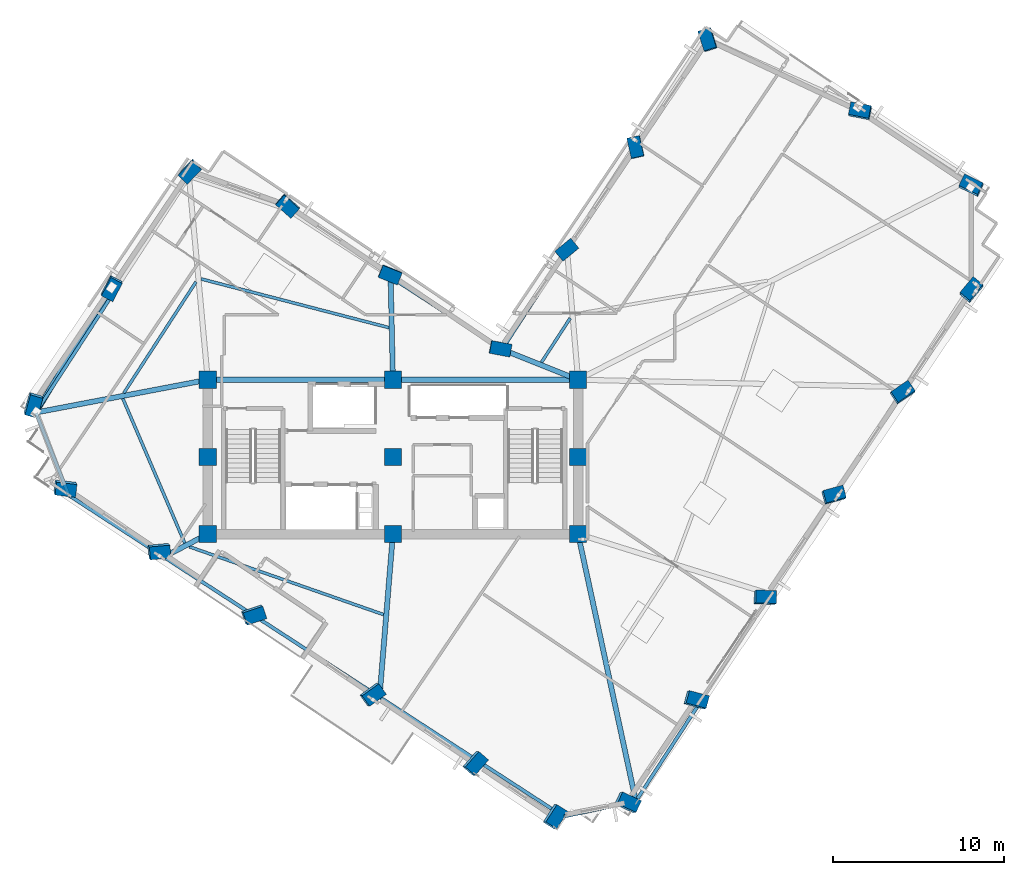
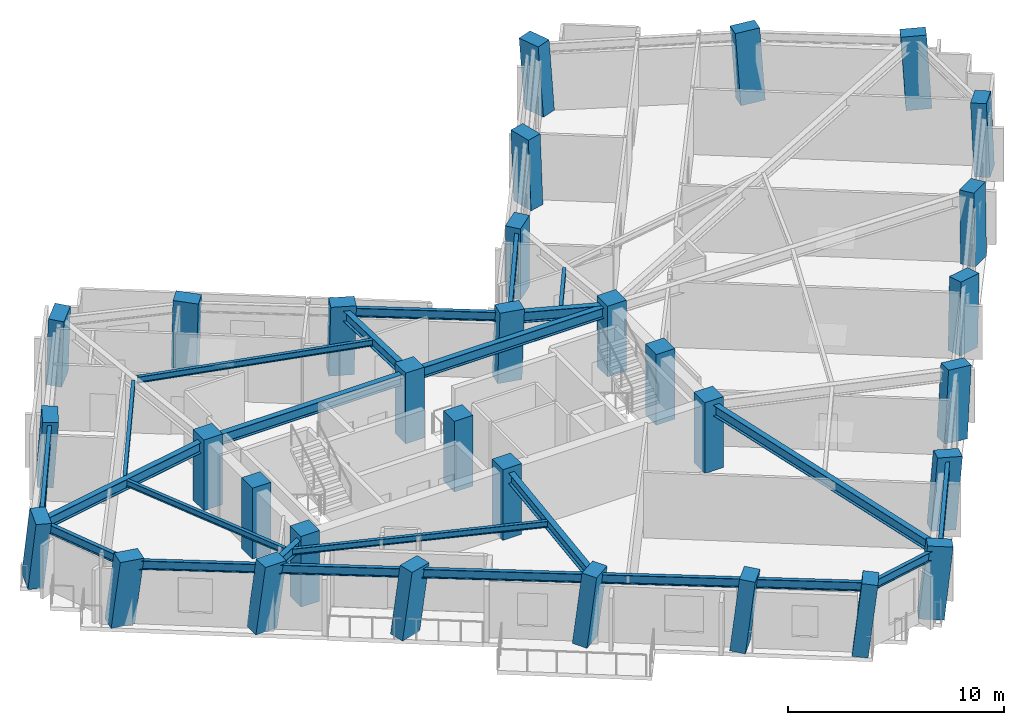
# One storey, part 1 of 14: 32 columns, 24 beams, 1 member.
"""IFC4 building model written with IfcOpenShell, lengths in metres."""

from ifc_helpers import new_model, si_unit, direction, frame, origin, origin_2d, place, context, subcontext, project, spatial, rectangle, hollow_circle, i_section, extrude, material, material_profile, profile_set, type_object, element, save


model = new_model("IFC4")

# Units and contexts
model_context = context("Model", 3, precision=1e-05, world=origin(), true_north=direction((0.0, 1.0)))
body_context = subcontext(model_context, "Body", "Model", "MODEL_VIEW")
ifc_project = project(units=[si_unit("LENGTHUNIT", "METRE"), si_unit("AREAUNIT", "SQUARE_METRE"), si_unit("VOLUMEUNIT", "CUBIC_METRE"), si_unit("PLANEANGLEUNIT", "RADIAN"), si_unit("MASSUNIT", "GRAM", prefix="KILO")], contexts=[model_context])

# Site, building, storey
site_placement = place(None, origin())
site = spatial("IfcSite", under=ifc_project, at=site_placement, CompositionType="ELEMENT")
building_placement = place(site_placement, origin())
building = spatial("IfcBuilding", under=site, at=building_placement, Name="Gaonmaruhae Medical Tower", CompositionType="ELEMENT")
storey_placement = place(building_placement, frame((0.0, 0.0, 263.199951171875)))
storey = spatial("IfcBuildingStorey", under=building, at=storey_placement, Name="L63", CompositionType="ELEMENT", Elevation=263.199951171875)

# Columns
ifc_material_1 = material(Name="Concrete C50/60", Category="concrete")
ifc_material_profile_1 = material_profile(ifc_material_1, rectangle(XDim=1.0, YDim=1.0, at=origin_2d()), Name="RC-1000x1000")
ifc_profile_set_1 = profile_set([ifc_material_profile_1], Name="Concrete C50/60")
column_type_1 = type_object("IfcColumnType", Name="CC-05 Zone 4 Core Column (RC-1000x1000)", PredefinedType="COLUMN", material=ifc_profile_set_1)
for number, where, z_axis, x_axis, name in (
    (1, (14.0, 7.800048828125, 0.0), (0.0, 0.0, 1.0), (1.0, 0.0, 0.0), "L63 Plumb Core Column CC11"),
    (2, (14.0, 12.300048828125, 0.0), (0.0, 0.0, 1.0), (1.0, 0.0, 0.0), "L63 Plumb Core Column CC12"),
    (3, (14.0, 16.800048828125, 0.0), (0.0, 0.0, 1.0), (1.0, 0.0, 0.0), "L63 Plumb Core Column CC13"),
    (4, (24.800048828125, 7.800048828125, 0.0), (0.0, 0.0, 1.0), (1.0, 0.0, 0.0), "L63 Plumb Core Column CC21"),
    (5, (24.800048828125, 12.300048828125, 0.0), (0.0, 0.0, 1.0), (1.0, 0.0, 0.0), "L63 Plumb Core Column CC22"),
    (6, (24.800048828125, 16.800048828125, 0.0), (0.0, 0.0, 1.0), (1.0, 0.0, 0.0), "L63 Plumb Core Column CC23"),
    (7, (35.60009765625, 7.800048828125, 0.0), (0.0, 0.0, 1.0), (1.0, 0.0, 0.0), "L63 Plumb Core Column CC31"),
    (8, (35.60009765625, 12.300048828125, 0.0), (0.0, 0.0, 1.0), (1.0, 0.0, 0.0), "L63 Plumb Core Column CC32"),
    (9, (35.60009765625, 16.800048828125, 0.0), (0.0, 0.0, 1.0), (1.0, 0.0, 0.0), "L63 Plumb Core Column CC33"),
):
    element("IfcColumn", number, at=place(storey_placement, frame(where, z_axis=z_axis, x_axis=x_axis)), inside=storey, type_object=column_type_1, Name=name, PredefinedType="COLUMN", context=body_context, shape_type="SweptSolid", body=[
        extrude(rectangle(XDim=1.0, YDim=1.0, at=origin_2d()), origin(), (0.0, 0.0, 1.0), 4.0),
    ])
ifc_material_profile_2 = material_profile(ifc_material_1, rectangle(XDim=1.199951171875, YDim=0.75, at=origin_2d()), Name="RC-1200x750")
ifc_profile_set_2 = profile_set([ifc_material_profile_2], Name="Concrete C50/60")
column_type_2 = type_object("IfcColumnType", Name="TC-03 Upper Raking Tube Pier Column (RC-1200x750)", PredefinedType="COLUMN", material=ifc_profile_set_2)
column_1_placement = place(storey_placement, frame((38.430419921875, -7.8662109375, 0.001953125), z_axis=(0.134040097403, 0.020903060076, 0.990755426111), x_axis=(-0.898092980481, 0.425164908078, 0.112533547662)))
element("IfcColumn", 10, at=column_1_placement, inside=storey, type_object=column_type_2, Name="L63 Perimeter Tube Column S01", PredefinedType="COLUMN", context=body_context, shape_type="SweptSolid", body=[
    extrude(rectangle(XDim=1.199951171875, YDim=0.75, at=origin_2d()), origin(), (0.0, 0.0, 1.0), 3.93603515625),
])
column_2_placement = place(storey_placement, frame((42.451416015625, -1.893798828125, 0.001953125), z_axis=(0.109606345324, 0.037361575031, 0.993272652284), x_axis=(-0.960066474556, 0.262764471179, 0.096058300628)))
element("IfcColumn", 11, at=column_2_placement, inside=storey, type_object=column_type_2, Name="L63 Perimeter Tube Column S02", PredefinedType="COLUMN", context=body_context, shape_type="SweptSolid", body=[
    extrude(rectangle(XDim=1.199951171875, YDim=0.75, at=origin_2d()), origin(), (0.0, 0.0, 1.0), 3.9404296875),
])
column_3_placement = place(storey_placement, frame((46.472412109375, 4.078857421875, 0.001953125), z_axis=(0.084979092026, 0.053785018915, 0.994930010432), x_axis=(-0.996046880163, 0.03050995972, 0.083425145348)))
element("IfcColumn", 12, at=column_3_placement, inside=storey, type_object=column_type_2, Name="L63 Perimeter Tube Column S03", PredefinedType="COLUMN", context=body_context, shape_type="SweptSolid", body=[
    extrude(rectangle(XDim=1.199951171875, YDim=0.75, at=origin_2d()), origin(), (0.0, 0.0, 1.0), 3.944580078125),
])
column_4_placement = place(storey_placement, frame((50.493408203125, 10.051513671875, 0.001953125), z_axis=(0.060244957035, 0.070203312356, 0.995711825824), x_axis=(-0.961707168272, -0.263116868438, 0.076738751868)))
element("IfcColumn", 13, at=column_4_placement, inside=storey, type_object=column_type_2, Name="L63 Perimeter Tube Column S04", PredefinedType="COLUMN", context=body_context, shape_type="SweptSolid", body=[
    extrude(rectangle(XDim=1.199951171875, YDim=0.75, at=origin_2d()), origin(), (0.0, 0.0, 1.0), 3.947021484375),
])
column_5_placement = place(storey_placement, frame((54.51416015625, 16.024169921875, 0.001953125), z_axis=(0.035506690498, 0.086601684142, 0.9956100759), x_axis=(-0.830026397093, -0.552293328745, 0.077641864689)))
element("IfcColumn", 14, at=column_5_placement, inside=storey, type_object=column_type_2, Name="L63 Perimeter Tube Column S05", PredefinedType="COLUMN", context=body_context, shape_type="SweptSolid", body=[
    extrude(rectangle(XDim=1.199951171875, YDim=0.75, at=origin_2d()), origin(), (0.0, 0.0, 1.0), 3.94677734375),
])
column_6_placement = place(storey_placement, frame((58.53515625, 21.996826171875, 0.001953125), z_axis=(0.010710308119, 0.102893249099, 0.994634741294), x_axis=(-0.640889762173, -0.76282129069, 0.085813700609)))
element("IfcColumn", 15, at=column_6_placement, inside=storey, type_object=column_type_2, Name="L63 Perimeter Tube Column S06", PredefinedType="COLUMN", context=body_context, shape_type="SweptSolid", body=[
    extrude(rectangle(XDim=1.199951171875, YDim=0.75, at=origin_2d()), origin(), (0.0, 0.0, 1.0), 3.943603515625),
])
column_7_placement = place(storey_placement, frame((58.53515625, 28.084716796875, 0.001953125), z_axis=(-0.014401229556, 0.102662842461, 0.99461195718), x_axis=(0.898644972852, -0.43483943796, 0.057895388089)))
element("IfcColumn", 16, at=column_7_placement, inside=storey, type_object=column_type_2, Name="L63 Perimeter Tube Column E01", PredefinedType="COLUMN", context=body_context, shape_type="SweptSolid", body=[
    extrude(rectangle(XDim=1.199951171875, YDim=0.75, at=origin_2d()), origin(), (0.0, 0.0, 1.0), 3.949951171875),
])
column_8_placement = place(storey_placement, frame((52.064697265625, 32.440673828125, 0.001953125), z_axis=(-0.032217562712, 0.076038385557, 0.996584262657), x_axis=(0.980924375863, -0.18883949173, 0.04611957503)))
element("IfcColumn", 17, at=column_8_placement, inside=storey, type_object=column_type_2, Name="L63 Perimeter Tube Column E02", PredefinedType="COLUMN", context=body_context, shape_type="SweptSolid", body=[
    extrude(rectangle(XDim=1.199951171875, YDim=0.75, at=origin_2d()), origin(), (0.0, 0.0, 1.0), 3.95556640625),
])
column_9_placement = place(storey_placement, frame((43.1806640625, 36.613525390625, 0.001953125), z_axis=(-0.049210235078, 0.039220187355, 0.998018100872), x_axis=(0.299343869523, -0.952716333944, 0.052199950338)))
element("IfcColumn", 18, at=column_9_placement, inside=storey, type_object=column_type_2, Name="L63 Perimeter Tube Column E03", PredefinedType="COLUMN", context=body_context, shape_type="SweptSolid", body=[
    extrude(rectangle(XDim=1.199951171875, YDim=0.75, at=origin_2d()), origin(), (0.0, 0.0, 1.0), 3.958984375),
])
column_10_placement = place(storey_placement, frame((38.964111328125, 30.3505859375, 0.001953125), z_axis=(-0.023155395107, 0.02198841233, 0.99949003867), x_axis=(0.216657402082, -0.97588827635, 0.026488529682)))
element("IfcColumn", 19, at=column_10_placement, inside=storey, type_object=column_type_2, Name="L63 Perimeter Tube Column EN01", PredefinedType="COLUMN", context=body_context, shape_type="SweptSolid", body=[
    extrude(rectangle(XDim=1.199951171875, YDim=0.75, at=origin_2d()), origin(), (0.0, 0.0, 1.0), 3.974853515625),
])
column_11_placement = place(storey_placement, frame((34.943359375, 24.3779296875, 0.001953125), z_axis=(0.001651449321, 0.005565995859, 0.999983146061), x_axis=(-0.771351837529, -0.636390719713, 0.004816077748)))
element("IfcColumn", 20, at=column_11_placement, inside=storey, type_object=column_type_2, Name="L63 Perimeter Tube Column EN02", PredefinedType="COLUMN", context=body_context, shape_type="SweptSolid", body=[
    extrude(rectangle(XDim=1.199951171875, YDim=0.75, at=origin_2d()), origin(), (0.0, 0.0, 1.0), 3.991455078125),
])
column_12_placement = place(storey_placement, frame((31.06201171875, 18.612548828125, 0.001953125), z_axis=(0.025709869991, -0.010247131953, 0.999616926063), x_axis=(-0.982326207353, 0.185195466455, 0.027163607131)))
element("IfcColumn", 21, at=column_12_placement, inside=storey, type_object=column_type_2, Name="L63 Perimeter Tube Column KN01", PredefinedType="COLUMN", context=body_context, shape_type="SweptSolid", body=[
    extrude(rectangle(XDim=1.199951171875, YDim=0.75, at=origin_2d()), origin(), (0.0, 0.0, 1.0), 3.978759765625),
])
column_13_placement = place(storey_placement, frame((24.633056640625, 22.940673828125, 0.001953125), z_axis=(0.007986390085, -0.037044563242, 0.999281700977), x_axis=(-0.928505715107, 0.370714499893, 0.021163567343)))
element("IfcColumn", 22, at=column_13_placement, inside=storey, type_object=column_type_2, Name="L63 Perimeter Tube Column NE01", PredefinedType="COLUMN", context=body_context, shape_type="SweptSolid", body=[
    extrude(rectangle(XDim=1.199951171875, YDim=0.75, at=origin_2d()), origin(), (0.0, 0.0, 1.0), 3.97412109375),
])
column_14_placement = place(storey_placement, frame((18.660400390625, 26.961669921875, 0.001953125), z_axis=(-0.008439776156, -0.061850622339, 0.998049733578), x_axis=(-0.746550173288, 0.664415153475, 0.03486176411)))
element("IfcColumn", 23, at=column_14_placement, inside=storey, type_object=column_type_2, Name="L63 Perimeter Tube Column NE02", PredefinedType="COLUMN", context=body_context, shape_type="SweptSolid", body=[
    extrude(rectangle(XDim=1.199951171875, YDim=0.75, at=origin_2d()), origin(), (0.0, 0.0, 1.0), 3.963134765625),
])
column_15_placement = place(storey_placement, frame((12.969970703125, 28.984375, 0.001953125), z_axis=(-0.016568570157, -0.085315771703, 0.99621619219), x_axis=(0.705770066577, 0.704763149468, 0.072093801918)))
element("IfcColumn", 24, at=column_15_placement, inside=storey, type_object=column_type_2, Name="L63 Perimeter Tube Column N01", PredefinedType="COLUMN", context=body_context, shape_type="SweptSolid", body=[
    extrude(rectangle(XDim=1.199951171875, YDim=0.75, at=origin_2d()), origin(), (0.0, 0.0, 1.0), 3.948974609375),
])
column_16_placement = place(storey_placement, frame((8.390625, 22.182373046875, 0.001953125), z_axis=(0.01163978478, -0.103891270537, 0.994520547458), x_axis=(0.463142262868, 0.882031149655, 0.086719636662)))
element("IfcColumn", 25, at=column_16_placement, inside=storey, type_object=column_type_2, Name="L63 Perimeter Tube Column N02", PredefinedType="COLUMN", context=body_context, shape_type="SweptSolid", body=[
    extrude(rectangle(XDim=1.199951171875, YDim=0.75, at=origin_2d()), origin(), (0.0, 0.0, 1.0), 3.943359375),
])
column_17_placement = place(storey_placement, frame((3.811279296875, 15.380126953125, 0.001953125), z_axis=(0.039745503789, -0.122150768276, 0.99171542528), x_axis=(0.276523855473, 0.95508133299, 0.106556110706)))
element("IfcColumn", 26, at=column_17_placement, inside=storey, type_object=column_type_2, Name="L63 Perimeter Tube Column N03", PredefinedType="COLUMN", context=body_context, shape_type="SweptSolid", body=[
    extrude(rectangle(XDim=1.199951171875, YDim=0.75, at=origin_2d()), origin(), (0.0, 0.0, 1.0), 3.9375),
])
column_18_placement = place(storey_placement, frame((5.661376953125, 10.51806640625, 0.001953125), z_axis=(0.05965353102, -0.114356561541, 0.991647131327), x_axis=(-0.991607661582, 0.107357762764, 0.072031633782)))
element("IfcColumn", 27, at=column_18_placement, inside=storey, type_object=column_type_2, Name="L63 Perimeter Tube Column W01", PredefinedType="COLUMN", context=body_context, shape_type="SweptSolid", body=[
    extrude(rectangle(XDim=1.199951171875, YDim=0.75, at=origin_2d()), origin(), (0.0, 0.0, 1.0), 3.9453125),
])
column_19_placement = place(storey_placement, frame((11.13623046875, 6.832275390625, 0.001953125), z_axis=(0.074721336877, -0.091855285813, 0.992964917952), x_axis=(-0.993441007236, -0.093284981246, 0.0661277356)))
element("IfcColumn", 28, at=column_19_placement, inside=storey, type_object=column_type_2, Name="L63 Perimeter Tube Column W02", PredefinedType="COLUMN", context=body_context, shape_type="SweptSolid", body=[
    extrude(rectangle(XDim=1.199951171875, YDim=0.75, at=origin_2d()), origin(), (0.0, 0.0, 1.0), 3.947021484375),
])
column_20_placement = place(storey_placement, frame((16.652587890625, 3.118408203125, 0.001953125), z_axis=(0.089856669482, -0.069077701178, 0.993556264209), x_axis=(-0.945478597444, -0.319474139576, 0.063296887102)))
element("IfcColumn", 29, at=column_20_placement, inside=storey, type_object=column_type_2, Name="L63 Perimeter Tube Column W03", PredefinedType="COLUMN", context=body_context, shape_type="SweptSolid", body=[
    extrude(rectangle(XDim=1.199951171875, YDim=0.75, at=origin_2d()), origin(), (0.0, 0.0, 1.0), 3.94775390625),
])
column_21_placement = place(storey_placement, frame((23.5791015625, -1.544677734375, 0.001953125), z_axis=(0.10879353882, -0.040387823109, 0.993243570156), x_axis=(-0.808715396833, -0.584618805204, 0.064809409255)))
element("IfcColumn", 30, at=column_21_placement, inside=storey, type_object=column_type_2, Name="L63 Perimeter Tube Column W04", PredefinedType="COLUMN", context=body_context, shape_type="SweptSolid", body=[
    extrude(rectangle(XDim=1.199951171875, YDim=0.75, at=origin_2d()), origin(), (0.0, 0.0, 1.0), 3.947265625),
])
column_22_placement = place(storey_placement, frame((29.5517578125, -5.565673828125, 0.001953125), z_axis=(0.124986744897, -0.015592405799, 0.99203588165), x_axis=(-0.652449339882, -0.754560678318, 0.070342317447)))
element("IfcColumn", 31, at=column_22_placement, inside=storey, type_object=column_type_2, Name="L63 Perimeter Tube Column W05", PredefinedType="COLUMN", context=body_context, shape_type="SweptSolid", body=[
    extrude(rectangle(XDim=1.199951171875, YDim=0.75, at=origin_2d()), origin(), (0.0, 0.0, 1.0), 3.94580078125),
])
column_23_placement = place(storey_placement, frame((34.197265625, -8.693115234375, 0.001953125), z_axis=(0.137476393654, 0.003590108434, 0.990498537258), x_axis=(-0.531319282766, -0.843683112541, 0.076802508908)))
element("IfcColumn", 32, at=column_23_placement, inside=storey, type_object=column_type_2, Name="L63 Perimeter Tube Column W06", PredefinedType="COLUMN", context=body_context, shape_type="SweptSolid", body=[
    extrude(rectangle(XDim=1.199951171875, YDim=0.75, at=origin_2d()), origin(), (0.0, 0.0, 1.0), 3.9443359375),
])

# Beams
ifc_material_2 = material(Name="Steel SM355", Category="steel")
ifc_material_profile_3 = material_profile(ifc_material_2, i_section(OverallWidth=0.175048828125, OverallDepth=0.35009765625, WebThickness=0.007080078125, FlangeThickness=0.010986328125, FilletRadius=0.012939453125, at=origin_2d()), Name="H-350x175x7x11")
ifc_profile_set_3 = profile_set([ifc_material_profile_3], Name="Steel SM355")
beam_type_1 = type_object("IfcBeamType", Name="FJ-02 Upper Zone Ward Floor Joist (H-350x175x7x11)", PredefinedType="JOIST", material=ifc_profile_set_3)
beam_1_placement = place(storey_placement, frame((35.138671875, 20.39013671875, 3.525146484375), z_axis=(-0.544643999937, -0.838667343667, 0.0), x_axis=(0.838667343667, -0.544643999937, 0.0)))
element("IfcBeam", 33, at=beam_1_placement, inside=storey, type_object=beam_type_1, Name="L63 Secondary Floor Joist FJ05", PredefinedType="JOIST", context=body_context, shape_type="SweptSolid", body=[
    extrude(i_section(OverallWidth=0.175048828125, OverallDepth=0.35009765625, WebThickness=0.007080078125, FlangeThickness=0.010986328125, FilletRadius=0.012939453125, at=origin_2d()), origin(), (0.0, 0.0, 1.0), 3.065673828125),
])
beam_2_placement = place(storey_placement, frame((24.575927734375, 19.8369140625, 3.525146484375), z_axis=(-0.967995928457, 0.250965899061, 0.0), x_axis=(-0.250965899061, -0.967995928457, 0.0)))
element("IfcBeam", 34, at=beam_2_placement, inside=storey, type_object=beam_type_1, Name="L63 Secondary Floor Joist FJ07", PredefinedType="JOIST", context=body_context, shape_type="SweptSolid", body=[
    extrude(i_section(OverallWidth=0.175048828125, OverallDepth=0.35009765625, WebThickness=0.007080078125, FlangeThickness=0.010986328125, FilletRadius=0.012939453125, at=origin_2d()), origin(), (0.0, 0.0, 1.0), 11.326416015625),
])
beam_3_placement = place(storey_placement, frame((13.316650390625, 22.512939453125, 3.525146484375), z_axis=(-0.544648962435, -0.83866412092, 0.0), x_axis=(0.83866412092, -0.544648962435, 0.0)))
element("IfcBeam", 35, at=beam_3_placement, inside=storey, type_object=beam_type_1, Name="L63 Secondary Floor Joist FJ08", PredefinedType="JOIST", context=body_context, shape_type="SweptSolid", body=[
    extrude(i_section(OverallWidth=0.175048828125, OverallDepth=0.35009765625, WebThickness=0.007080078125, FlangeThickness=0.010986328125, FilletRadius=0.012939453125, at=origin_2d()), origin(), (0.0, 0.0, 1.0), 7.73828125),
])
beam_4_placement = place(storey_placement, frame((9.048583984375, 15.697265625, 3.525146484375), z_axis=(0.393809960285, -0.91919188159, 0.0), x_axis=(0.91919188159, 0.393809960285, 0.0)))
element("IfcBeam", 36, at=beam_4_placement, inside=storey, type_object=beam_type_1, Name="L63 Secondary Floor Joist FJ09", PredefinedType="JOIST", context=body_context, shape_type="SweptSolid", body=[
    extrude(i_section(OverallWidth=0.175048828125, OverallDepth=0.35009765625, WebThickness=0.007080078125, FlangeThickness=0.010986328125, FilletRadius=0.012939453125, at=origin_2d()), origin(), (0.0, 0.0, 1.0), 9.162841796875),
])
beam_5_placement = place(storey_placement, frame((12.91845703125, 7.061279296875, 3.525146484375), z_axis=(0.944031576471, -0.329855093374, 0.0), x_axis=(0.329855093374, 0.944031576471, 0.0)))
element("IfcBeam", 37, at=beam_5_placement, inside=storey, type_object=beam_type_1, Name="L63 Secondary Floor Joist FJ10", PredefinedType="JOIST", context=body_context, shape_type="SweptSolid", body=[
    extrude(i_section(OverallWidth=0.175048828125, OverallDepth=0.35009765625, WebThickness=0.007080078125, FlangeThickness=0.010986328125, FilletRadius=0.012939453125, at=origin_2d()), origin(), (0.0, 0.0, 1.0), 12.01025390625),
])

# Member
ifc_material_profile_4 = material_profile(ifc_material_2, hollow_circle(Radius=0.1591796875, WallThickness=0.01025390625, at=origin_2d()), Name="CHS-318.5x10.3")
ifc_profile_set_4 = profile_set([ifc_material_profile_4], Name="Steel SM355")
member_type = type_object("IfcMemberType", Name="PB-03 Perimeter Solid-Bay Tube Brace Upper (CHS-318.5x10.3)", PredefinedType="BRACE", material=ifc_profile_set_4)
member_placement = place(storey_placement, frame((8.390625, 22.182373046875, 0.25), z_axis=(-0.485123869974, -0.800785377103, 0.35127996043), x_axis=(0.855292786009, -0.518145008854, 0.0)))
element("IfcMember", 38, at=member_placement, inside=storey, type_object=member_type, Name="L63 Perimeter Tube Solid-Bay Brace N02-N03", PredefinedType="BRACE", context=body_context, shape_type="SweptSolid", body=[
    extrude(hollow_circle(Radius=0.1591796875, WallThickness=0.01025390625, at=origin_2d()), origin(), (0.0, 0.0, 1.0), 9.109375),
])

# Beams
ifc_material_3 = material(Name="Steel SM420", Category="steel")
ifc_material_profile_5 = material_profile(ifc_material_3, i_section(OverallWidth=0.300048828125, OverallDepth=0.60009765625, WebThickness=0.011962890625, FlangeThickness=0.02001953125, FilletRadius=0.012939453125, at=origin_2d()), Name="H-600x300x12x20")
ifc_profile_set_5 = profile_set([ifc_material_profile_5], Name="Steel SM420")
beam_type_2 = type_object("IfcBeamType", Name="PG-04 Zone 4 Radial Floor Girder (H-600x300x12x20)", PredefinedType="BEAM", material=ifc_profile_set_5)
for number, where, z_axis, x_axis, name in (
    (39, (14.050048828125, 16.800048828125, 3.400146484375), (1.0, 0.0, 0.0), (0.0, 1.0, 0.0), "L63 Beam BM-L63-CG-N1"),
    (40, (24.85009765625, 16.800048828125, 3.400146484375), (1.0, 0.0, 0.0), (0.0, 1.0, 0.0), "L63 Beam BM-L63-CG-N2"),
):
    element("IfcBeam", number, at=place(storey_placement, frame(where, z_axis=z_axis, x_axis=x_axis)), inside=storey, type_object=beam_type_2, Name=name, PredefinedType="BEAM", context=body_context, shape_type="SweptSolid", body=[
        extrude(i_section(OverallWidth=0.300048828125, OverallDepth=0.60009765625, WebThickness=0.011962890625, FlangeThickness=0.02001953125, FilletRadius=0.012939453125, at=origin_2d()), origin(), (0.0, 0.0, 1.0), 10.699951171875),
    ])
beam_6_placement = place(storey_placement, frame((35.610595703125, 7.751220703125, 3.400146484375), z_axis=(0.211464097869, -0.977385765863, 0.0), x_axis=(0.977385765863, 0.211464097869, 0.0)))
element("IfcBeam", 41, at=beam_6_placement, inside=storey, type_object=beam_type_2, Name="L63 Radial Primary Girder S01", PredefinedType="BEAM", context=body_context, shape_type="SweptSolid", body=[
    extrude(i_section(OverallWidth=0.300048828125, OverallDepth=0.60009765625, WebThickness=0.011962890625, FlangeThickness=0.02001953125, FilletRadius=0.012939453125, at=origin_2d()), origin(), (0.0, 0.0, 1.0), 15.84228515625),
])
beam_7_placement = place(storey_placement, frame((35.553466796875, 16.818603515625, 3.400146484375), z_axis=(-0.928663820184, 0.370922510884, 0.0), x_axis=(-0.370922510884, -0.928663820184, 0.0)))
element("IfcBeam", 42, at=beam_7_placement, inside=storey, type_object=beam_type_2, Name="L63 Radial Primary Girder KN01", PredefinedType="BEAM", context=body_context, shape_type="SweptSolid", body=[
    extrude(i_section(OverallWidth=0.300048828125, OverallDepth=0.60009765625, WebThickness=0.011962890625, FlangeThickness=0.02001953125, FilletRadius=0.012939453125, at=origin_2d()), origin(), (0.0, 0.0, 1.0), 4.67578125),
])
beam_8_placement = place(storey_placement, frame((24.798828125, 16.85009765625, 3.400146484375), z_axis=(-0.022492754268, 0.999747006, 0.0), x_axis=(-0.999747006, -0.022492754268, 0.0)))
element("IfcBeam", 43, at=beam_8_placement, inside=storey, type_object=beam_type_2, Name="L63 Radial Primary Girder NE01", PredefinedType="BEAM", context=body_context, shape_type="SweptSolid", body=[
    extrude(i_section(OverallWidth=0.300048828125, OverallDepth=0.60009765625, WebThickness=0.011962890625, FlangeThickness=0.02001953125, FilletRadius=0.012939453125, at=origin_2d()), origin(), (0.0, 0.0, 1.0), 5.893798828125),
])
beam_9_placement = place(storey_placement, frame((13.950927734375, 16.79052734375, 3.400146484375), z_axis=(-0.982305787535, -0.187284115116, 0.0), x_axis=(0.187284115116, -0.982305787535, 0.0)))
element("IfcBeam", 44, at=beam_9_placement, inside=storey, type_object=beam_type_2, Name="L63 Radial Primary Girder N03", PredefinedType="BEAM", context=body_context, shape_type="SweptSolid", body=[
    extrude(i_section(OverallWidth=0.300048828125, OverallDepth=0.60009765625, WebThickness=0.011962890625, FlangeThickness=0.02001953125, FilletRadius=0.012939453125, at=origin_2d()), origin(), (0.0, 0.0, 1.0), 10.109375),
])
beam_10_placement = place(storey_placement, frame((13.95556640625, 7.77685546875, 3.400146484375), z_axis=(-0.886524005337, -0.462682599588, 0.0), x_axis=(0.462682599588, -0.886524005337, 0.0)))
element("IfcBeam", 45, at=beam_10_placement, inside=storey, type_object=beam_type_2, Name="L63 Radial Primary Girder W02", PredefinedType="BEAM", context=body_context, shape_type="SweptSolid", body=[
    extrude(i_section(OverallWidth=0.300048828125, OverallDepth=0.60009765625, WebThickness=0.011962890625, FlangeThickness=0.02001953125, FilletRadius=0.012939453125, at=origin_2d()), origin(), (0.0, 0.0, 1.0), 2.790771484375),
])
beam_11_placement = place(storey_placement, frame((24.7958984375, 7.750244140625, 3.400146484375), z_axis=(-0.082065121024, -0.996626969288, 0.0), x_axis=(0.996626969288, -0.082065121024, 0.0)))
element("IfcBeam", 46, at=beam_11_placement, inside=storey, type_object=beam_type_2, Name="L63 Radial Primary Girder W04", PredefinedType="BEAM", context=body_context, shape_type="SweptSolid", body=[
    extrude(i_section(OverallWidth=0.300048828125, OverallDepth=0.60009765625, WebThickness=0.011962890625, FlangeThickness=0.02001953125, FilletRadius=0.012939453125, at=origin_2d()), origin(), (0.0, 0.0, 1.0), 9.439453125),
])
ifc_material_profile_6 = material_profile(ifc_material_2, i_section(OverallWidth=0.199951171875, OverallDepth=0.5, WebThickness=0.010009765625, FlangeThickness=0.01611328125, FilletRadius=0.012939453125, at=origin_2d()), Name="H-500x200x10x16")
ifc_profile_set_6 = profile_set([ifc_material_profile_6], Name="Steel SM355")
beam_type_3 = type_object("IfcBeamType", Name="SP-02 Upper Perimeter Spandrel Beam (H-500x200x10x16)", PredefinedType="SPANDREL", material=ifc_profile_set_6)
beam_12_placement = place(storey_placement, frame((38.992919921875, -7.748291015625, 3.449951171875), z_axis=(0.544642403711, 0.838668380279, 0.0), x_axis=(-0.838668380279, 0.544642403711, 0.0)))
element("IfcBeam", 47, at=beam_12_placement, inside=storey, type_object=beam_type_3, Name="L63 Perimeter Spandrel Beam S01-S02", PredefinedType="SPANDREL", context=body_context, shape_type="SweptSolid", body=[
    extrude(i_section(OverallWidth=0.199951171875, OverallDepth=0.5, WebThickness=0.010009765625, FlangeThickness=0.01611328125, FilletRadius=0.012939453125, at=origin_2d()), origin(), (0.0, 0.0, 1.0), 7.1201171875),
])
beam_13_placement = place(storey_placement, frame((34.92822265625, 24.36669921875, 3.449951171875), z_axis=(-0.544638555114, -0.838670879596, 0.0), x_axis=(0.838670879596, -0.544638555114, 0.0)))
element("IfcBeam", 48, at=beam_13_placement, inside=storey, type_object=beam_type_3, Name="L63 Perimeter Spandrel Beam EN02-KN01", PredefinedType="SPANDREL", context=body_context, shape_type="SweptSolid", body=[
    extrude(i_section(OverallWidth=0.199951171875, OverallDepth=0.5, WebThickness=0.010009765625, FlangeThickness=0.01611328125, FilletRadius=0.012939453125, at=origin_2d()), origin(), (0.0, 0.0, 1.0), 6.8701171875),
])
beam_14_placement = place(storey_placement, frame((31.13134765625, 18.59326171875, 3.449951171875), z_axis=(-0.838679164525, 0.544625797215, 0.0), x_axis=(-0.544625797215, -0.838679164525, 0.0)))
element("IfcBeam", 49, at=beam_14_placement, inside=storey, type_object=beam_type_3, Name="L63 Perimeter Spandrel Beam KN01-NE01", PredefinedType="SPANDREL", context=body_context, shape_type="SweptSolid", body=[
    extrude(i_section(OverallWidth=0.199951171875, OverallDepth=0.5, WebThickness=0.010009765625, FlangeThickness=0.01611328125, FilletRadius=0.012939453125, at=origin_2d()), origin(), (0.0, 0.0, 1.0), 7.669921875),
])
beam_15_placement = place(storey_placement, frame((8.415771484375, 21.731201171875, 3.449951171875), z_axis=(-0.544661747936, -0.838655817565, 0.0), x_axis=(0.838655817565, -0.544661747936, 0.0)))
element("IfcBeam", 50, at=beam_15_placement, inside=storey, type_object=beam_type_3, Name="L63 Perimeter Spandrel Beam N02-N03", PredefinedType="SPANDREL", context=body_context, shape_type="SweptSolid", body=[
    extrude(i_section(OverallWidth=0.199951171875, OverallDepth=0.5, WebThickness=0.010009765625, FlangeThickness=0.01611328125, FilletRadius=0.012939453125, at=origin_2d()), origin(), (0.0, 0.0, 1.0), 8.119873046875),
])
beam_16_placement = place(storey_placement, frame((3.986328125, 14.8505859375, 3.449951171875), z_axis=(0.371070149812, -0.928604837333, 0.0), x_axis=(0.928604837333, 0.371070149812, 0.0)))
element("IfcBeam", 51, at=beam_16_placement, inside=storey, type_object=beam_type_3, Name="L63 Perimeter Spandrel Beam N03-W01", PredefinedType="SPANDREL", context=body_context, shape_type="SweptSolid", body=[
    extrude(i_section(OverallWidth=0.199951171875, OverallDepth=0.5, WebThickness=0.010009765625, FlangeThickness=0.01611328125, FilletRadius=0.012939453125, at=origin_2d()), origin(), (0.0, 0.0, 1.0), 5.1220703125),
])
beam_17_placement = place(storey_placement, frame((5.935302734375, 10.03515625, 3.449951171875), z_axis=(0.838677944156, -0.544627676478, 0.0), x_axis=(0.544627676478, 0.838677944156, 0.0)))
element("IfcBeam", 52, at=beam_17_placement, inside=storey, type_object=beam_type_3, Name="L63 Perimeter Spandrel Beam W01-W02", PredefinedType="SPANDREL", context=body_context, shape_type="SweptSolid", body=[
    extrude(i_section(OverallWidth=0.199951171875, OverallDepth=0.5, WebThickness=0.010009765625, FlangeThickness=0.01611328125, FilletRadius=0.012939453125, at=origin_2d()), origin(), (0.0, 0.0, 1.0), 6.52001953125),
])
beam_18_placement = place(storey_placement, frame((11.470703125, 6.440673828125, 3.449951171875), z_axis=(0.838661741054, -0.544652626994, 0.0), x_axis=(0.544652626994, 0.838661741054, 0.0)))
element("IfcBeam", 53, at=beam_18_placement, inside=storey, type_object=beam_type_3, Name="L63 Perimeter Spandrel Beam W02-W03", PredefinedType="SPANDREL", context=body_context, shape_type="SweptSolid", body=[
    extrude(i_section(OverallWidth=0.199951171875, OverallDepth=0.5, WebThickness=0.010009765625, FlangeThickness=0.01611328125, FilletRadius=0.012939453125, at=origin_2d()), origin(), (0.0, 0.0, 1.0), 6.570068359375),
])
beam_19_placement = place(storey_placement, frame((17.0478515625, 2.81884765625, 3.449951171875), z_axis=(0.838670841886, -0.544638613184, 0.0), x_axis=(0.544638613184, 0.838670841886, 0.0)))
element("IfcBeam", 54, at=beam_19_placement, inside=storey, type_object=beam_type_3, Name="L63 Perimeter Spandrel Beam W03-W04", PredefinedType="SPANDREL", context=body_context, shape_type="SweptSolid", body=[
    extrude(i_section(OverallWidth=0.199951171875, OverallDepth=0.5, WebThickness=0.010009765625, FlangeThickness=0.01611328125, FilletRadius=0.012939453125, at=origin_2d()), origin(), (0.0, 0.0, 1.0), 8.27001953125),
])
beam_20_placement = place(storey_placement, frame((24.05078125, -1.72900390625, 3.449951171875), z_axis=(0.838658208587, -0.544658066285, 0.0), x_axis=(0.544658066285, 0.838658208587, 0.0)))
element("IfcBeam", 55, at=beam_20_placement, inside=storey, type_object=beam_type_3, Name="L63 Perimeter Spandrel Beam W04-W05", PredefinedType="SPANDREL", context=body_context, shape_type="SweptSolid", body=[
    extrude(i_section(OverallWidth=0.199951171875, OverallDepth=0.5, WebThickness=0.010009765625, FlangeThickness=0.01611328125, FilletRadius=0.012939453125, at=origin_2d()), origin(), (0.0, 0.0, 1.0), 7.119873046875),
])
beam_21_placement = place(storey_placement, frame((30.089111328125, -5.650390625, 3.449951171875), z_axis=(0.83867191712, -0.544636957463, 0.0), x_axis=(0.544636957463, 0.83867191712, 0.0)))
element("IfcBeam", 56, at=beam_21_placement, inside=storey, type_object=beam_type_3, Name="L63 Perimeter Spandrel Beam W05-W06", PredefinedType="SPANDREL", context=body_context, shape_type="SweptSolid", body=[
    extrude(i_section(OverallWidth=0.199951171875, OverallDepth=0.5, WebThickness=0.010009765625, FlangeThickness=0.01611328125, FilletRadius=0.012939453125, at=origin_2d()), origin(), (0.0, 0.0, 1.0), 5.52001953125),
])
beam_22_placement = place(storey_placement, frame((34.791259765625, -8.670166015625, 3.449951171875), z_axis=(0.978149616118, 0.207902208956, 0.0), x_axis=(-0.207902208956, 0.978149616118, 0.0)))
element("IfcBeam", 57, at=beam_22_placement, inside=storey, type_object=beam_type_3, Name="L63 Perimeter Spandrel Beam W06-S01", PredefinedType="SPANDREL", context=body_context, shape_type="SweptSolid", body=[
    extrude(i_section(OverallWidth=0.199951171875, OverallDepth=0.5, WebThickness=0.010009765625, FlangeThickness=0.01611328125, FilletRadius=0.012939453125, at=origin_2d()), origin(), (0.0, 0.0, 1.0), 4.2333984375),
])

save(model, "model.ifc")
